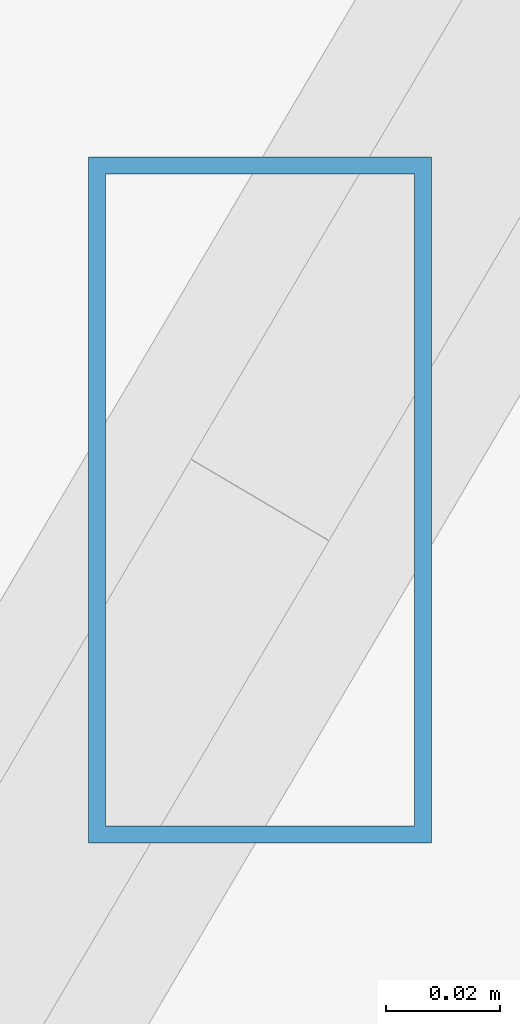
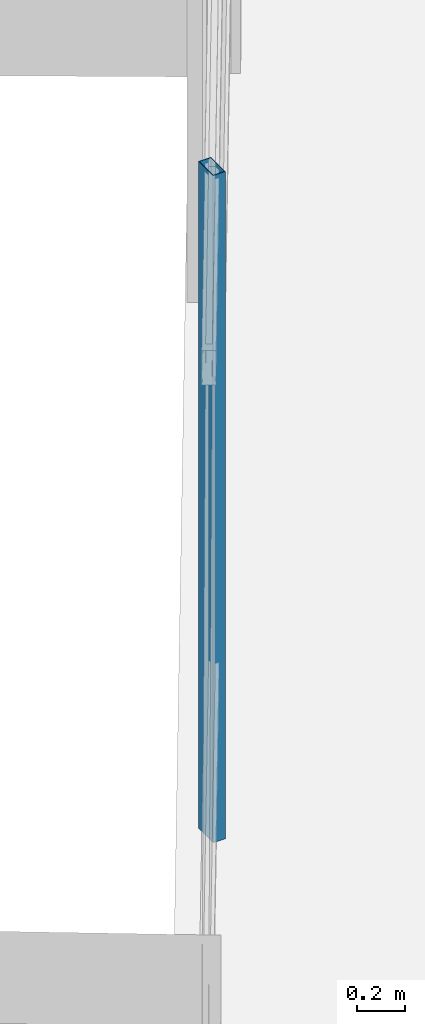
# One storey, part 9 of 47: 1 member, 1 element without a shape of its own.
"""IFC4 building model written with IfcOpenShell, lengths in metres."""

from ifc_helpers import new_model, si_unit, direction, frame, origin, origin_2d, place, context, subcontext, project, spatial, hollow_rectangle, extrude, source, transform, mapped, material, material_profile, profile_set, type_object, type_shapes, element, aggregate, save


model = new_model("IFC4")

# Units and contexts
model_context = context("Model", 3, precision=1e-05, world=origin(), true_north=direction((0.0, 1.0)))
body_context = subcontext(model_context, "Body", "Model", "MODEL_VIEW")
ifc_project = project(units=[si_unit("LENGTHUNIT", "METRE"), si_unit("AREAUNIT", "SQUARE_METRE"), si_unit("VOLUMEUNIT", "CUBIC_METRE"), si_unit("PLANEANGLEUNIT", "RADIAN"), si_unit("MASSUNIT", "GRAM", prefix="KILO")], contexts=[model_context])

# Site, building, storey
site_placement = place(None, origin())
site = spatial("IfcSite", under=ifc_project, at=site_placement, CompositionType="ELEMENT")
building_placement = place(site_placement, origin())
building = spatial("IfcBuilding", under=site, at=building_placement, Name="Caelisora Broadcast Tower", CompositionType="ELEMENT")
storey_placement = place(building_placement, frame((0.0, 0.0, 255.39990234375)))
storey = spatial("IfcBuildingStorey", under=building, at=storey_placement, Name="L67", CompositionType="ELEMENT", Elevation=255.39990234375)

# Curtain wall, member
ifc_material_1 = material(Name="Unitised Aluminium and Low-E Glass Curtain Wall", Category="glass")
curtain_wall_type = type_object("IfcCurtainWallType", Name="CW-Z5", PredefinedType="NOTDEFINED", material=ifc_material_1)
curtain_wall_placement = place(storey_placement, origin())
curtain_wall = element("IfcCurtainWall", 1, at=curtain_wall_placement, inside=storey, type_object=curtain_wall_type, Name="L67 curtain wall CW-Z5", PredefinedType="NOTDEFINED")
ifc_material_2 = material(Name="Aluminium 6063-T6 Anodised Terracotta Bronze", Category="aluminium")
ifc_material_profile = material_profile(ifc_material_2, hollow_rectangle(XDim=0.06005859375, YDim=0.1201171875, WallThickness=0.0029296875, at=origin_2d()), Name="Aluminium 6063-T6 Anodised Terracotta Bronze")
ifc_profile_set = profile_set([ifc_material_profile], Name="Aluminium 6063-T6 Anodised Terracotta Bronze")
member_type = type_object("IfcMemberType", Name="CWM-04", PredefinedType="MULLION", material=ifc_profile_set)
shared_shape = source(origin(), body_context, "Body", "SweptSolid", [
    extrude(hollow_rectangle(XDim=0.06005859375, YDim=0.1201171875, WallThickness=0.0029296875, at=origin_2d()), origin(), (0.0, 0.0, 1.0), 3.400146484375),
])
type_shapes(member_type, [shared_shape])
member_placement = place(storey_placement, frame((17.849365234375, 21.54150390625, 0.0), z_axis=(0.0, 0.0, 1.0), x_axis=(1.0, 0.0, 0.0)))
member = element("IfcMember", 2, at=member_placement, type_object=member_type, Name="L67-CW-B09 mullion #2", PredefinedType="MULLION", context=body_context, shape_type="MappedRepresentation", body=[
    mapped(shared_shape, transform((0.0, 0.0, 0.0), scale=1.0)),
])
aggregate(curtain_wall, [member])

save(model, "model.ifc")
